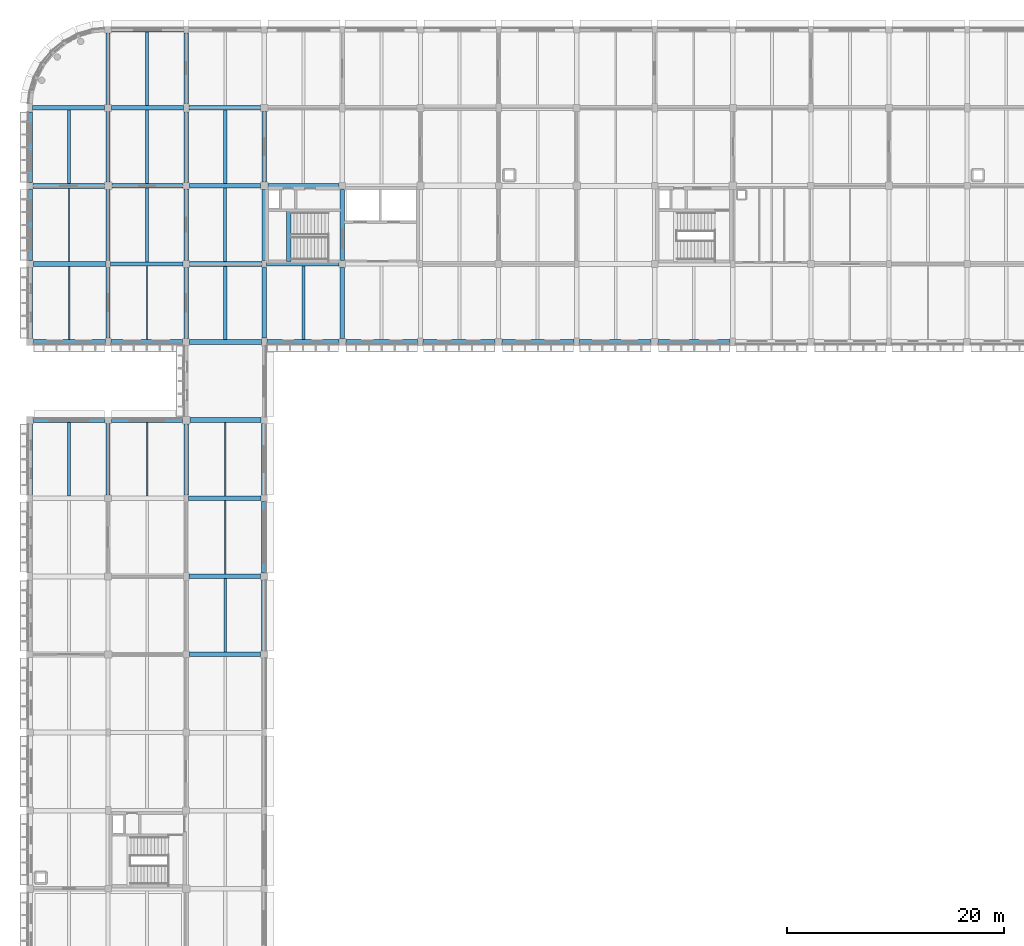
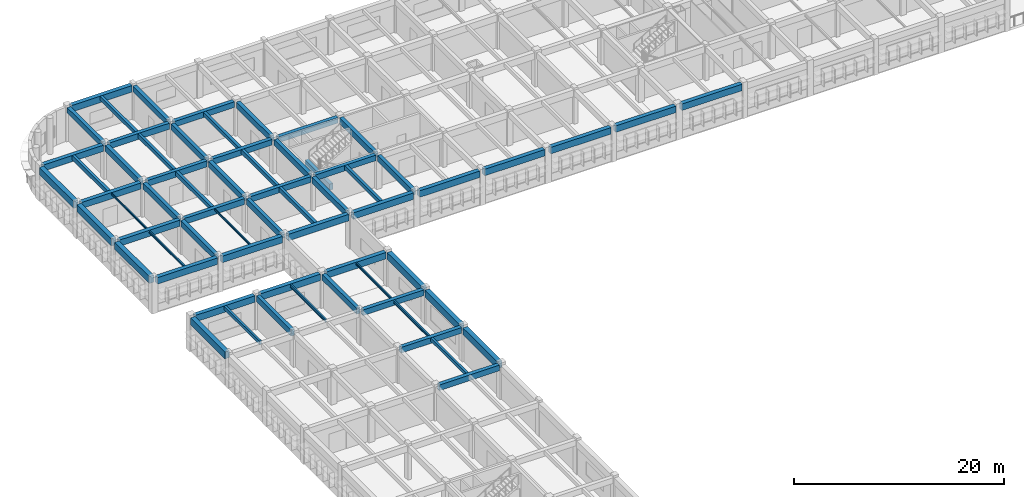
# One storey, part 5 of 38: 66 beams.
"""IFC4 building model written with IfcOpenShell, lengths in metres."""

from ifc_helpers import new_model, si_unit, direction, frame, origin, origin_2d, place, context, subcontext, project, spatial, rectangle, i_section, extrude, material, material_profile, profile_set, type_object, element, save


model = new_model("IFC4")

# Units and contexts
model_context = context("Model", 3, precision=1e-05, world=origin(), true_north=direction((0.0, 1.0)))
body_context = subcontext(model_context, "Body", "Model", "MODEL_VIEW")
ifc_project = project(units=[si_unit("LENGTHUNIT", "METRE"), si_unit("AREAUNIT", "SQUARE_METRE"), si_unit("VOLUMEUNIT", "CUBIC_METRE"), si_unit("PLANEANGLEUNIT", "RADIAN"), si_unit("MASSUNIT", "GRAM", prefix="KILO")], contexts=[model_context])

# Site, building, storey
site_placement = place(None, origin())
site = spatial("IfcSite", under=ifc_project, at=site_placement, CompositionType="ELEMENT")
building_placement = place(site_placement, origin())
building = spatial("IfcBuilding", under=site, at=building_placement, Name="Thalmaran Polytechnic", CompositionType="ELEMENT")
storey_placement = place(building_placement, frame((0.0, 0.0, 18.60009765625)))
storey = spatial("IfcBuildingStorey", under=building, at=storey_placement, Name="L04", CompositionType="ELEMENT", Elevation=18.60009765625)

# Beams
ifc_material_1 = material(Name="Concrete C40/50", Category="concrete")
ifc_material_profile_1 = material_profile(ifc_material_1, rectangle(XDim=0.39990234375, YDim=0.699951171875, at=origin_2d()), Name="RC 400x700")
ifc_profile_set_1 = profile_set([ifc_material_profile_1], Name="Concrete C40/50")
beam_type_1 = type_object("IfcBeamType", Name="BM-RC05", PredefinedType="BEAM", material=ifc_profile_set_1)
beam_1_placement = place(storey_placement, frame((7.409912109375, 100.800048828125, 3.60498046875), z_axis=(1.0, 0.0, 0.0), x_axis=(0.0, 1.0, 0.0)))
element("IfcBeam", 1, at=beam_1_placement, inside=storey, type_object=beam_type_1, Name="Grid Beam B05 L04 X(1,14)", PredefinedType="BEAM", context=body_context, shape_type="SweptSolid", body=[
    extrude(rectangle(XDim=0.39990234375, YDim=0.699951171875, at=origin_2d()), origin(), (0.0, 0.0, 1.0), 6.68017578125),
])
beam_2_placement = place(storey_placement, frame((7.5400390625, 108.0, 3.60498046875), z_axis=(1.0, 0.0, 0.0), x_axis=(0.0, 1.0, 0.0)))
element("IfcBeam", 2, at=beam_2_placement, inside=storey, type_object=beam_type_1, Name="Grid Beam B05 L04 X(1,15)", PredefinedType="BEAM", context=body_context, shape_type="SweptSolid", body=[
    extrude(rectangle(XDim=0.39990234375, YDim=0.699951171875, at=origin_2d()), origin(), (0.0, 0.0, 1.0), 6.56005859375),
])
beam_3_placement = place(storey_placement, frame((7.52490234375, 115.199951171875, 3.60498046875), z_axis=(1.0, 0.0, 0.0), x_axis=(0.0, 1.0, 0.0)))
element("IfcBeam", 3, at=beam_3_placement, inside=storey, type_object=beam_type_1, Name="Grid Beam B05 L04 X(1,16)", PredefinedType="BEAM", context=body_context, shape_type="SweptSolid", body=[
    extrude(rectangle(XDim=0.39990234375, YDim=0.699951171875, at=origin_2d()), origin(), (0.0, 0.0, 1.0), 6.625),
])
ifc_material_profile_2 = material_profile(ifc_material_1, rectangle(XDim=0.39990234375, YDim=0.64990234375, at=origin_2d()), Name="RC 400x650")
ifc_profile_set_2 = profile_set([ifc_material_profile_2], Name="Concrete C40/50")
beam_type_2 = type_object("IfcBeamType", Name="BM-RC06", PredefinedType="BEAM", material=ifc_profile_set_2)
beam_4_placement = place(storey_placement, frame((21.81005859375, 100.800048828125, 3.6298828125), z_axis=(1.0, 0.0, 0.0), x_axis=(0.0, 1.0, 0.0)))
element("IfcBeam", 4, at=beam_4_placement, inside=storey, type_object=beam_type_2, Name="Grid Beam B06 L04 X(3,14)", PredefinedType="BEAM", context=body_context, shape_type="SweptSolid", body=[
    extrude(rectangle(XDim=0.39990234375, YDim=0.64990234375, at=origin_2d()), origin(), (0.0, 0.0, 1.0), 6.679931640625),
])
beam_5_placement = place(storey_placement, frame((21.93994140625, 108.0, 3.6298828125), z_axis=(1.0, 0.0, 0.0), x_axis=(0.0, 1.0, 0.0)))
element("IfcBeam", 5, at=beam_5_placement, inside=storey, type_object=beam_type_2, Name="Grid Beam B06 L04 X(3,15)", PredefinedType="BEAM", context=body_context, shape_type="SweptSolid", body=[
    extrude(rectangle(XDim=0.39990234375, YDim=0.64990234375, at=origin_2d()), origin(), (0.0, 0.0, 1.0), 6.56005859375),
])
ifc_material_profile_3 = material_profile(ifc_material_1, rectangle(XDim=0.39990234375, YDim=0.6298828125, at=origin_2d()), Name="RC 400x630")
ifc_profile_set_3 = profile_set([ifc_material_profile_3], Name="Concrete C40/50")
beam_type_3 = type_object("IfcBeamType", Name="BM-RC07", PredefinedType="BEAM", material=ifc_profile_set_3)
beam_6_placement = place(storey_placement, frame((7.199951171875, 115.52490234375, 3.639892578125), z_axis=(0.0, 1.0, 0.0), x_axis=(-1.0, 0.0, 0.0)))
element("IfcBeam", 6, at=beam_6_placement, inside=storey, type_object=beam_type_3, Name="Grid Beam B07 L04 Y(1,16)", PredefinedType="BEAM", context=body_context, shape_type="SweptSolid", body=[
    extrude(rectangle(XDim=0.39990234375, YDim=0.6298828125, at=origin_2d()), origin(), (0.0, 0.0, 1.0), 6.565185546875),
])
beam_7_placement = place(storey_placement, frame((14.39990234375, 115.574951171875, 3.639892578125), z_axis=(0.0, 1.0, 0.0), x_axis=(-1.0, 0.0, 0.0)))
element("IfcBeam", 7, at=beam_7_placement, inside=storey, type_object=beam_type_3, Name="Grid Beam B07 L04 Y(2,16)", PredefinedType="BEAM", context=body_context, shape_type="SweptSolid", body=[
    extrude(rectangle(XDim=0.39990234375, YDim=0.6298828125, at=origin_2d()), origin(), (0.0, 0.0, 1.0), 6.505126953125),
])
ifc_material_profile_4 = material_profile(ifc_material_1, rectangle(XDim=0.389892578125, YDim=0.68505859375, at=origin_2d()), Name="RC 390x685")
ifc_profile_set_4 = profile_set([ifc_material_profile_4], Name="Concrete C40/50")
beam_type_4 = type_object("IfcBeamType", Name="BM-RC08", PredefinedType="BEAM", material=ifc_profile_set_4)
beam_8_placement = place(storey_placement, frame((7.199951171875, 79.510009765625, 3.59228515625), z_axis=(0.0, 1.0, 0.0), x_axis=(-1.0, 0.0, 0.0)))
element("IfcBeam", 8, at=beam_8_placement, inside=storey, type_object=beam_type_4, Name="Grid Beam B08 L04 Y(1,11)", PredefinedType="BEAM", context=body_context, shape_type="SweptSolid", body=[
    extrude(rectangle(XDim=0.389892578125, YDim=0.68505859375, at=origin_2d()), origin(), (0.0, 0.0, 1.0), 6.590087890625),
])
beam_9_placement = place(storey_placement, frame((14.39990234375, 79.52001953125, 3.59228515625), z_axis=(0.0, 1.0, 0.0), x_axis=(-1.0, 0.0, 0.0)))
element("IfcBeam", 9, at=beam_9_placement, inside=storey, type_object=beam_type_4, Name="Grid Beam B08 L04 Y(2,11)", PredefinedType="BEAM", context=body_context, shape_type="SweptSolid", body=[
    extrude(rectangle(XDim=0.389892578125, YDim=0.68505859375, at=origin_2d()), origin(), (0.0, 0.0, 1.0), 6.5400390625),
])
ifc_material_profile_5 = material_profile(ifc_material_1, rectangle(XDim=0.389892578125, YDim=0.68994140625, at=origin_2d()), Name="RC 390x690")
ifc_profile_set_5 = profile_set([ifc_material_profile_5], Name="Concrete C40/50")
beam_type_5 = type_object("IfcBeamType", Name="BM-RC09", PredefinedType="BEAM", material=ifc_profile_set_5)
beam_10_placement = place(storey_placement, frame((7.199951171875, 93.97509765625, 3.60986328125), z_axis=(0.0, 1.0, 0.0), x_axis=(-1.0, 0.0, 0.0)))
element("IfcBeam", 10, at=beam_10_placement, inside=storey, type_object=beam_type_5, Name="Grid Beam B09 L04 Y(1,13)", PredefinedType="BEAM", context=body_context, shape_type="SweptSolid", body=[
    extrude(rectangle(XDim=0.389892578125, YDim=0.68994140625, at=origin_2d()), origin(), (0.0, 0.0, 1.0), 6.5048828125),
])
beam_11_placement = place(storey_placement, frame((14.39990234375, 93.925048828125, 3.60986328125), z_axis=(0.0, 1.0, 0.0), x_axis=(-1.0, 0.0, 0.0)))
element("IfcBeam", 11, at=beam_11_placement, inside=storey, type_object=beam_type_5, Name="Grid Beam B09 L04 Y(2,13)", PredefinedType="BEAM", context=body_context, shape_type="SweptSolid", body=[
    extrude(rectangle(XDim=0.389892578125, YDim=0.68994140625, at=origin_2d()), origin(), (0.0, 0.0, 1.0), 6.56494140625),
])
beam_12_placement = place(storey_placement, frame((21.60009765625, 93.97509765625, 3.60986328125), z_axis=(0.0, 1.0, 0.0), x_axis=(-1.0, 0.0, 0.0)))
element("IfcBeam", 12, at=beam_12_placement, inside=storey, type_object=beam_type_5, Name="Grid Beam B09 L04 Y(3,13)", PredefinedType="BEAM", context=body_context, shape_type="SweptSolid", body=[
    extrude(rectangle(XDim=0.389892578125, YDim=0.68994140625, at=origin_2d()), origin(), (0.0, 0.0, 1.0), 6.5048828125),
])
beam_13_placement = place(storey_placement, frame((28.800048828125, 93.925048828125, 3.60986328125), z_axis=(0.0, 1.0, 0.0), x_axis=(-1.0, 0.0, 0.0)))
element("IfcBeam", 13, at=beam_13_placement, inside=storey, type_object=beam_type_5, Name="Grid Beam B09 L04 Y(4,13)", PredefinedType="BEAM", context=body_context, shape_type="SweptSolid", body=[
    extrude(rectangle(XDim=0.389892578125, YDim=0.68994140625, at=origin_2d()), origin(), (0.0, 0.0, 1.0), 6.56494140625),
])
ifc_material_profile_6 = material_profile(ifc_material_1, rectangle(XDim=0.389892578125, YDim=0.695068359375, at=origin_2d()), Name="RC 390x695")
ifc_profile_set_6 = profile_set([ifc_material_profile_6], Name="Concrete C40/50")
beam_type_6 = type_object("IfcBeamType", Name="BM-RC10", PredefinedType="BEAM", material=ifc_profile_set_6)
beam_14_placement = place(storey_placement, frame((7.199951171875, 108.340087890625, 3.607421875), z_axis=(0.0, 1.0, 0.0), x_axis=(-1.0, 0.0, 0.0)))
element("IfcBeam", 14, at=beam_14_placement, inside=storey, type_object=beam_type_6, Name="Grid Beam B10 L04 Y(1,15)", PredefinedType="BEAM", context=body_context, shape_type="SweptSolid", body=[
    extrude(rectangle(XDim=0.389892578125, YDim=0.695068359375, at=origin_2d()), origin(), (0.0, 0.0, 1.0), 6.534912109375),
])
beam_15_placement = place(storey_placement, frame((14.39990234375, 108.300048828125, 3.607421875), z_axis=(0.0, 1.0, 0.0), x_axis=(-1.0, 0.0, 0.0)))
element("IfcBeam", 15, at=beam_15_placement, inside=storey, type_object=beam_type_6, Name="Grid Beam B10 L04 Y(2,15)", PredefinedType="BEAM", context=body_context, shape_type="SweptSolid", body=[
    extrude(rectangle(XDim=0.389892578125, YDim=0.695068359375, at=origin_2d()), origin(), (0.0, 0.0, 1.0), 6.52490234375),
])
beam_16_placement = place(storey_placement, frame((21.60009765625, 108.340087890625, 3.607421875), z_axis=(0.0, 1.0, 0.0), x_axis=(-1.0, 0.0, 0.0)))
element("IfcBeam", 16, at=beam_16_placement, inside=storey, type_object=beam_type_6, Name="Grid Beam B10 L04 Y(3,15)", PredefinedType="BEAM", context=body_context, shape_type="SweptSolid", body=[
    extrude(rectangle(XDim=0.389892578125, YDim=0.695068359375, at=origin_2d()), origin(), (0.0, 0.0, 1.0), 6.534912109375),
])
beam_17_placement = place(storey_placement, frame((23.860107421875, 101.0400390625, 1.639892578125), z_axis=(0.0, 1.0, 0.0), x_axis=(-1.0, 0.0, 0.0)))
element("IfcBeam", 17, at=beam_17_placement, inside=storey, type_object=beam_type_6, Name="ST2 L04 Half-Landing Trimmer Beam", PredefinedType="BEAM", context=body_context, shape_type="SweptSolid", body=[
    extrude(rectangle(XDim=0.389892578125, YDim=0.695068359375, at=origin_2d()), origin(), (0.0, 0.0, 1.0), 4.699951171875),
])
ifc_material_profile_7 = material_profile(ifc_material_1, rectangle(XDim=0.300048828125, YDim=0.5, at=origin_2d()), Name="RC 300x500")
ifc_profile_set_7 = profile_set([ifc_material_profile_7], Name="Concrete C40/50")
beam_type_7 = type_object("IfcBeamType", Name="BM-RC11", PredefinedType="JOIST", material=ifc_profile_set_7)
beam_18_placement = place(storey_placement, frame((3.60009765625, 108.219970703125, 3.704833984375), z_axis=(0.0, 1.0, 0.0), x_axis=(-1.0, 0.0, 0.0)))
element("IfcBeam", 18, at=beam_18_placement, inside=storey, type_object=beam_type_7, Name="Secondary Floor Rib RB01 L04 (0,15)", PredefinedType="JOIST", context=body_context, shape_type="SweptSolid", body=[
    extrude(rectangle(XDim=0.300048828125, YDim=0.5, at=origin_2d()), origin(), (0.0, 0.0, 1.0), 6.760009765625),
])
beam_19_placement = place(storey_placement, frame((10.800048828125, 101.0, 3.704833984375), z_axis=(0.0, 1.0, 0.0), x_axis=(-1.0, 0.0, 0.0)))
element("IfcBeam", 19, at=beam_19_placement, inside=storey, type_object=beam_type_7, Name="Secondary Floor Rib RB01 L04 (1,14)", PredefinedType="JOIST", context=body_context, shape_type="SweptSolid", body=[
    extrude(rectangle(XDim=0.300048828125, YDim=0.5, at=origin_2d()), origin(), (0.0, 0.0, 1.0), 6.800048828125),
])
beam_20_placement = place(storey_placement, frame((18.0, 93.824951171875, 3.704833984375), z_axis=(0.0, 1.0, 0.0), x_axis=(-1.0, 0.0, 0.0)))
element("IfcBeam", 20, at=beam_20_placement, inside=storey, type_object=beam_type_7, Name="Secondary Floor Rib RB01 L04 (2,13)", PredefinedType="JOIST", context=body_context, shape_type="SweptSolid", body=[
    extrude(rectangle(XDim=0.300048828125, YDim=0.5, at=origin_2d()), origin(), (0.0, 0.0, 1.0), 6.76513671875),
])
ifc_material_profile_8 = material_profile(ifc_material_1, rectangle(XDim=0.300048828125, YDim=0.449951171875, at=origin_2d()), Name="RC 300x450")
ifc_profile_set_8 = profile_set([ifc_material_profile_8], Name="Concrete C40/50")
beam_type_8 = type_object("IfcBeamType", Name="BM-RC12", PredefinedType="JOIST", material=ifc_profile_set_8)
beam_21_placement = place(storey_placement, frame((10.800048828125, 115.39990234375, 3.72998046875), z_axis=(0.0, 1.0, 0.0), x_axis=(-1.0, 0.0, 0.0)))
element("IfcBeam", 21, at=beam_21_placement, inside=storey, type_object=beam_type_8, Name="Secondary Floor Rib RB02 L04 (1,16)", PredefinedType="JOIST", context=body_context, shape_type="SweptSolid", body=[
    extrude(rectangle(XDim=0.300048828125, YDim=0.449951171875, at=origin_2d()), origin(), (0.0, 0.0, 1.0), 6.775146484375),
])
beam_22_placement = place(storey_placement, frame((18.0, 108.2099609375, 3.72998046875), z_axis=(0.0, 1.0, 0.0), x_axis=(-1.0, 0.0, 0.0)))
element("IfcBeam", 22, at=beam_22_placement, inside=storey, type_object=beam_type_8, Name="Secondary Floor Rib RB02 L04 (2,15)", PredefinedType="JOIST", context=body_context, shape_type="SweptSolid", body=[
    extrude(rectangle(XDim=0.300048828125, YDim=0.449951171875, at=origin_2d()), origin(), (0.0, 0.0, 1.0), 6.780029296875),
])
ifc_material_2 = material(Name="Steel S355", Category="steel")
ifc_material_profile_9 = material_profile(ifc_material_2, i_section(OverallWidth=0.159912109375, OverallDepth=0.330078125, WebThickness=0.007568359375, FlangeThickness=0.011474609375, at=origin_2d()), Name="IPE 330")
ifc_profile_set_9 = profile_set([ifc_material_profile_9], Name="Steel S355")
beam_type_9 = type_object("IfcBeamType", Name="BM-SJ02", PredefinedType="JOIST", material=ifc_profile_set_9)
beam_23_placement = place(storey_placement, frame((10.800048828125, 79.39990234375, 3.77001953125), z_axis=(0.0, 1.0, 0.0), x_axis=(-1.0, 0.0, 0.0)))
element("IfcBeam", 23, at=beam_23_placement, inside=storey, type_object=beam_type_9, Name="Secondary Floor Rib SJ02 L04 (1,11)", PredefinedType="JOIST", context=body_context, shape_type="SweptSolid", body=[
    extrude(i_section(OverallWidth=0.159912109375, OverallDepth=0.330078125, WebThickness=0.007568359375, FlangeThickness=0.011474609375, at=origin_2d()), origin(), (0.0, 0.0, 1.0), 6.775146484375),
])
beam_24_placement = place(storey_placement, frame((18.0, 72.2099609375, 3.77001953125), z_axis=(0.0, 1.0, 0.0), x_axis=(-1.0, 0.0, 0.0)))
element("IfcBeam", 24, at=beam_24_placement, inside=storey, type_object=beam_type_9, Name="Secondary Floor Rib SJ02 L04 (2,10)", PredefinedType="JOIST", context=body_context, shape_type="SweptSolid", body=[
    extrude(i_section(OverallWidth=0.159912109375, OverallDepth=0.330078125, WebThickness=0.007568359375, FlangeThickness=0.011474609375, at=origin_2d()), origin(), (0.0, 0.0, 1.0), 6.780029296875),
])
ifc_material_profile_10 = material_profile(ifc_material_2, i_section(OverallWidth=0.135009765625, OverallDepth=0.27001953125, WebThickness=0.006591796875, FlangeThickness=0.01025390625, at=origin_2d()), Name="IPE 270")
ifc_profile_set_10 = profile_set([ifc_material_profile_10], Name="Steel S355")
beam_type_10 = type_object("IfcBeamType", Name="BM-SJ03", PredefinedType="JOIST", material=ifc_profile_set_10)
beam_25_placement = place(storey_placement, frame((3.60009765625, 93.824951171875, 3.81982421875), z_axis=(0.0, 1.0, 0.0), x_axis=(-1.0, 0.0, 0.0)))
element("IfcBeam", 25, at=beam_25_placement, inside=storey, type_object=beam_type_10, Name="Secondary Floor Rib SJ03 L04 (0,13)", PredefinedType="JOIST", context=body_context, shape_type="SweptSolid", body=[
    extrude(i_section(OverallWidth=0.135009765625, OverallDepth=0.27001953125, WebThickness=0.006591796875, FlangeThickness=0.01025390625, at=origin_2d()), origin(), (0.0, 0.0, 1.0), 6.755126953125),
])
beam_26_placement = place(storey_placement, frame((18.0, 79.409912109375, 3.7998046875), z_axis=(0.0, 1.0, 0.0), x_axis=(-1.0, 0.0, 0.0)))
element("IfcBeam", 26, at=beam_26_placement, inside=storey, type_object=beam_type_10, Name="Secondary Floor Rib SJ03 L04 (2,11)", PredefinedType="JOIST", context=body_context, shape_type="SweptSolid", body=[
    extrude(i_section(OverallWidth=0.135009765625, OverallDepth=0.27001953125, WebThickness=0.006591796875, FlangeThickness=0.01025390625, at=origin_2d()), origin(), (0.0, 0.0, 1.0), 6.76513671875),
])
ifc_material_profile_11 = material_profile(ifc_material_2, i_section(OverallWidth=0.110107421875, OverallDepth=0.219970703125, WebThickness=0.005859375, FlangeThickness=0.00927734375, at=origin_2d()), Name="IPE 220")
ifc_profile_set_11 = profile_set([ifc_material_profile_11], Name="Steel S355")
beam_type_11 = type_object("IfcBeamType", Name="BM-SJ04", PredefinedType="JOIST", material=ifc_profile_set_11)
beam_27_placement = place(storey_placement, frame((3.60009765625, 101.02001953125, 3.844970703125), z_axis=(0.0, 1.0, 0.0), x_axis=(-1.0, 0.0, 0.0)))
element("IfcBeam", 27, at=beam_27_placement, inside=storey, type_object=beam_type_11, Name="Secondary Floor Rib SJ04 L04 (0,14)", PredefinedType="JOIST", context=body_context, shape_type="SweptSolid", body=[
    extrude(i_section(OverallWidth=0.110107421875, OverallDepth=0.219970703125, WebThickness=0.005859375, FlangeThickness=0.00927734375, at=origin_2d()), origin(), (0.0, 0.0, 1.0), 6.760009765625),
])
beam_28_placement = place(storey_placement, frame((10.800048828125, 93.824951171875, 3.844970703125), z_axis=(0.0, 1.0, 0.0), x_axis=(-1.0, 0.0, 0.0)))
element("IfcBeam", 28, at=beam_28_placement, inside=storey, type_object=beam_type_11, Name="Secondary Floor Rib SJ04 L04 (1,13)", PredefinedType="JOIST", context=body_context, shape_type="SweptSolid", body=[
    extrude(i_section(OverallWidth=0.110107421875, OverallDepth=0.219970703125, WebThickness=0.005859375, FlangeThickness=0.00927734375, at=origin_2d()), origin(), (0.0, 0.0, 1.0), 6.775146484375),
])
ifc_material_profile_12 = material_profile(ifc_material_1, rectangle(XDim=0.449951171875, YDim=0.7548828125, at=origin_2d()), Name="RC 450x755")
ifc_profile_set_12 = profile_set([ifc_material_profile_12], Name="Concrete C40/50")
beam_type_12 = type_object("IfcBeamType", Name="BM-SP02", PredefinedType="SPANDREL", material=ifc_profile_set_12)
beam_29_placement = place(storey_placement, frame((0.340087890625, 86.39990234375, 3.557373046875), z_axis=(1.0, 0.0, 0.0), x_axis=(0.0, 1.0, 0.0)))
element("IfcBeam", 29, at=beam_29_placement, inside=storey, type_object=beam_type_12, Name="Grid Beam SP02 L04 X(0,12)", PredefinedType="SPANDREL", context=body_context, shape_type="SweptSolid", body=[
    extrude(rectangle(XDim=0.449951171875, YDim=0.7548828125, at=origin_2d()), origin(), (0.0, 0.0, 1.0), 6.559814453125),
])
beam_30_placement = place(storey_placement, frame((0.324951171875, 93.60009765625, 3.577392578125), z_axis=(1.0, 0.0, 0.0), x_axis=(0.0, 1.0, 0.0)))
element("IfcBeam", 30, at=beam_30_placement, inside=storey, type_object=beam_type_12, Name="Grid Beam SP02 L04 X(0,13)", PredefinedType="SPANDREL", context=body_context, shape_type="SweptSolid", body=[
    extrude(rectangle(XDim=0.449951171875, YDim=0.7548828125, at=origin_2d()), origin(), (0.0, 0.0, 1.0), 6.625),
])
beam_31_placement = place(storey_placement, frame((7.5, 86.39990234375, 3.557373046875), z_axis=(1.0, 0.0, 0.0), x_axis=(0.0, 1.0, 0.0)))
element("IfcBeam", 31, at=beam_31_placement, inside=storey, type_object=beam_type_12, Name="Grid Beam SP02 L04 X(1,12)", PredefinedType="SPANDREL", context=body_context, shape_type="SweptSolid", body=[
    extrude(rectangle(XDim=0.449951171875, YDim=0.7548828125, at=origin_2d()), origin(), (0.0, 0.0, 1.0), 6.56005859375),
])
beam_32_placement = place(storey_placement, frame((7.449951171875, 93.60009765625, 3.577392578125), z_axis=(1.0, 0.0, 0.0), x_axis=(0.0, 1.0, 0.0)))
element("IfcBeam", 32, at=beam_32_placement, inside=storey, type_object=beam_type_12, Name="Grid Beam SP02 L04 X(1,13)", PredefinedType="SPANDREL", context=body_context, shape_type="SweptSolid", body=[
    extrude(rectangle(XDim=0.449951171875, YDim=0.7548828125, at=origin_2d()), origin(), (0.0, 0.0, 1.0), 6.625),
])
beam_33_placement = place(storey_placement, frame((7.510009765625, 122.39990234375, 3.577392578125), z_axis=(1.0, 0.0, 0.0), x_axis=(0.0, 1.0, 0.0)))
element("IfcBeam", 33, at=beam_33_placement, inside=storey, type_object=beam_type_12, Name="Grid Beam SP02 L04 X(1,17)", PredefinedType="SPANDREL", context=body_context, shape_type="SweptSolid", body=[
    extrude(rectangle(XDim=0.449951171875, YDim=0.7548828125, at=origin_2d()), origin(), (0.0, 0.0, 1.0), 6.679931640625),
])
beam_34_placement = place(storey_placement, frame((14.739990234375, 86.39990234375, 3.557373046875), z_axis=(1.0, 0.0, 0.0), x_axis=(0.0, 1.0, 0.0)))
element("IfcBeam", 34, at=beam_34_placement, inside=storey, type_object=beam_type_12, Name="Grid Beam SP02 L04 X(2,12)", PredefinedType="SPANDREL", context=body_context, shape_type="SweptSolid", body=[
    extrude(rectangle(XDim=0.449951171875, YDim=0.7548828125, at=origin_2d()), origin(), (0.0, 0.0, 1.0), 6.56005859375),
])
for number, where, z_axis, x_axis, name in (
    (35, (14.72509765625, 93.60009765625, 3.577392578125), (1.0, 0.0, 0.0), (0.0, 1.0, 0.0), "Grid Beam SP02 L04 X(2,13)"),
    (36, (21.85009765625, 93.60009765625, 3.577392578125), (1.0, 0.0, 0.0), (0.0, 1.0, 0.0), "Grid Beam SP02 L04 X(3,13)"),
    (37, (29.125, 93.60009765625, 3.577392578125), (1.0, 0.0, 0.0), (0.0, 1.0, 0.0), "Grid Beam SP02 L04 X(4,13)"),
    (38, (36.25, 93.60009765625, 3.577392578125), (1.0, 0.0, 0.0), (0.0, 1.0, 0.0), "Grid Beam SP02 L04 X(5,13)"),
    (39, (43.52490234375, 93.60009765625, 3.577392578125), (1.0, 0.0, 0.0), (0.0, 1.0, 0.0), "Grid Beam SP02 L04 X(6,13)"),
    (40, (50.64990234375, 93.60009765625, 3.577392578125), (1.0, 0.0, 0.0), (0.0, 1.0, 0.0), "Grid Beam SP02 L04 X(7,13)"),
    (41, (57.925048828125, 93.60009765625, 3.577392578125), (1.0, 0.0, 0.0), (0.0, 1.0, 0.0), "Grid Beam SP02 L04 X(8,13)"),
):
    element("IfcBeam", number, at=place(storey_placement, frame(where, z_axis=z_axis, x_axis=x_axis)), inside=storey, type_object=beam_type_12, Name=name, PredefinedType="SPANDREL", context=body_context, shape_type="SweptSolid", body=[
        extrude(rectangle(XDim=0.449951171875, YDim=0.7548828125, at=origin_2d()), origin(), (0.0, 0.0, 1.0), 6.625),
    ])
ifc_material_profile_13 = material_profile(ifc_material_1, rectangle(XDim=0.5, YDim=0.804931640625, at=origin_2d()), Name="RC 500x805")
ifc_profile_set_13 = profile_set([ifc_material_profile_13], Name="Concrete C40/50")
beam_type_13 = type_object("IfcBeamType", Name="BM-SP03", PredefinedType="SPANDREL", material=ifc_profile_set_13)
beam_35_placement = place(storey_placement, frame((0.0, 79.52001953125, 3.532470703125), z_axis=(0.0, 1.0, 0.0), x_axis=(-1.0, 0.0, 0.0)))
element("IfcBeam", 42, at=beam_35_placement, inside=storey, type_object=beam_type_13, Name="Grid Beam SP03 L04 Y(0,11)", PredefinedType="SPANDREL", context=body_context, shape_type="SweptSolid", body=[
    extrude(rectangle(XDim=0.5, YDim=0.804931640625, at=origin_2d()), origin(), (0.0, 0.0, 1.0), 6.5400390625),
])
beam_36_placement = place(storey_placement, frame((0.0, 93.925048828125, 3.552490234375), z_axis=(0.0, 1.0, 0.0), x_axis=(-1.0, 0.0, 0.0)))
element("IfcBeam", 43, at=beam_36_placement, inside=storey, type_object=beam_type_13, Name="Grid Beam SP03 L04 Y(0,13)", PredefinedType="SPANDREL", context=body_context, shape_type="SweptSolid", body=[
    extrude(rectangle(XDim=0.5, YDim=0.804931640625, at=origin_2d()), origin(), (0.0, 0.0, 1.0), 6.56494140625),
])
beam_37_placement = place(storey_placement, frame((0.0, 101.110107421875, 3.552490234375), z_axis=(0.0, 1.0, 0.0), x_axis=(-1.0, 0.0, 0.0)))
element("IfcBeam", 44, at=beam_37_placement, inside=storey, type_object=beam_type_13, Name="Grid Beam SP03 L04 Y(0,14)", PredefinedType="SPANDREL", context=body_context, shape_type="SweptSolid", body=[
    extrude(rectangle(XDim=0.5, YDim=0.804931640625, at=origin_2d()), origin(), (0.0, 0.0, 1.0), 6.58984375),
])
beam_38_placement = place(storey_placement, frame((0.0, 108.300048828125, 3.552490234375), z_axis=(0.0, 1.0, 0.0), x_axis=(-1.0, 0.0, 0.0)))
element("IfcBeam", 45, at=beam_38_placement, inside=storey, type_object=beam_type_13, Name="Grid Beam SP03 L04 Y(0,15)", PredefinedType="SPANDREL", context=body_context, shape_type="SweptSolid", body=[
    extrude(rectangle(XDim=0.5, YDim=0.804931640625, at=origin_2d()), origin(), (0.0, 0.0, 1.0), 6.52490234375),
])
beam_39_placement = place(storey_placement, frame((21.60009765625, 65.139892578125, 3.532470703125), z_axis=(0.0, 1.0, 0.0), x_axis=(-1.0, 0.0, 0.0)))
element("IfcBeam", 46, at=beam_39_placement, inside=storey, type_object=beam_type_13, Name="Grid Beam SP03 L04 Y(3,9)", PredefinedType="SPANDREL", context=body_context, shape_type="SweptSolid", body=[
    extrude(rectangle(XDim=0.5, YDim=0.804931640625, at=origin_2d()), origin(), (0.0, 0.0, 1.0), 6.53515625),
])
beam_40_placement = place(storey_placement, frame((21.60009765625, 72.324951171875, 3.532470703125), z_axis=(0.0, 1.0, 0.0), x_axis=(-1.0, 0.0, 0.0)))
element("IfcBeam", 47, at=beam_40_placement, inside=storey, type_object=beam_type_13, Name="Grid Beam SP03 L04 Y(3,10)", PredefinedType="SPANDREL", context=body_context, shape_type="SweptSolid", body=[
    extrude(rectangle(XDim=0.5, YDim=0.804931640625, at=origin_2d()), origin(), (0.0, 0.0, 1.0), 6.56494140625),
])
beam_41_placement = place(storey_placement, frame((21.60009765625, 79.510009765625, 3.532470703125), z_axis=(0.0, 1.0, 0.0), x_axis=(-1.0, 0.0, 0.0)))
element("IfcBeam", 48, at=beam_41_placement, inside=storey, type_object=beam_type_13, Name="Grid Beam SP03 L04 Y(3,11)", PredefinedType="SPANDREL", context=body_context, shape_type="SweptSolid", body=[
    extrude(rectangle(XDim=0.5, YDim=0.804931640625, at=origin_2d()), origin(), (0.0, 0.0, 1.0), 6.590087890625),
])
ifc_material_profile_14 = material_profile(ifc_material_1, rectangle(XDim=0.43994140625, YDim=0.719970703125, at=origin_2d()), Name="RC 440x720")
ifc_profile_set_14 = profile_set([ifc_material_profile_14], Name="Concrete C40/50")
beam_type_14 = type_object("IfcBeamType", Name="BM-ZB03", PredefinedType="BEAM", material=ifc_profile_set_14)
beam_42_placement = place(storey_placement, frame((0.31005859375, 100.800048828125, 3.594970703125), z_axis=(1.0, 0.0, 0.0), x_axis=(0.0, 1.0, 0.0)))
element("IfcBeam", 49, at=beam_42_placement, inside=storey, type_object=beam_type_14, Name="Grid Beam ZB03 L04 X(0,14)", PredefinedType="BEAM", context=body_context, shape_type="SweptSolid", body=[
    extrude(rectangle(XDim=0.43994140625, YDim=0.719970703125, at=origin_2d()), origin(), (0.0, 0.0, 1.0), 6.679931640625),
])
beam_43_placement = place(storey_placement, frame((0.300048828125, 108.0, 3.594970703125), z_axis=(1.0, 0.0, 0.0), x_axis=(0.0, 1.0, 0.0)))
element("IfcBeam", 50, at=beam_43_placement, inside=storey, type_object=beam_type_14, Name="Grid Beam ZB03 L04 X(0,15)", PredefinedType="BEAM", context=body_context, shape_type="SweptSolid", body=[
    extrude(rectangle(XDim=0.43994140625, YDim=0.719970703125, at=origin_2d()), origin(), (0.0, 0.0, 1.0), 6.56005859375),
])
beam_44_placement = place(storey_placement, frame((0.25, 115.199951171875, 3.594970703125), z_axis=(1.0, 0.0, 0.0), x_axis=(0.0, 1.0, 0.0)))
element("IfcBeam", 51, at=beam_44_placement, inside=storey, type_object=beam_type_14, Name="Grid Beam ZB03 L04 X(0,16)", PredefinedType="BEAM", context=body_context, shape_type="SweptSolid", body=[
    extrude(rectangle(XDim=0.43994140625, YDim=0.719970703125, at=origin_2d()), origin(), (0.0, 0.0, 1.0), 6.625),
])
ifc_material_profile_15 = material_profile(ifc_material_1, rectangle(XDim=0.419921875, YDim=0.659912109375, at=origin_2d()), Name="RC 420x660")
ifc_profile_set_15 = profile_set([ifc_material_profile_15], Name="Concrete C40/50")
beam_type_15 = type_object("IfcBeamType", Name="BM-ZB04", PredefinedType="BEAM", material=ifc_profile_set_15)
beam_45_placement = place(storey_placement, frame((14.699951171875, 64.800048828125, 3.60498046875), z_axis=(1.0, 0.0, 0.0), x_axis=(0.0, 1.0, 0.0)))
element("IfcBeam", 52, at=beam_45_placement, inside=storey, type_object=beam_type_15, Name="Grid Beam ZB04 L04 X(2,9)", PredefinedType="BEAM", context=body_context, shape_type="SweptSolid", body=[
    extrude(rectangle(XDim=0.419921875, YDim=0.659912109375, at=origin_2d()), origin(), (0.0, 0.0, 1.0), 6.56005859375),
])
beam_46_placement = place(storey_placement, frame((14.64990234375, 72.0, 3.60498046875), z_axis=(1.0, 0.0, 0.0), x_axis=(0.0, 1.0, 0.0)))
element("IfcBeam", 53, at=beam_46_placement, inside=storey, type_object=beam_type_15, Name="Grid Beam ZB04 L04 X(2,10)", PredefinedType="BEAM", context=body_context, shape_type="SweptSolid", body=[
    extrude(rectangle(XDim=0.419921875, YDim=0.659912109375, at=origin_2d()), origin(), (0.0, 0.0, 1.0), 6.625),
])
for number, where, z_axis, x_axis, name in (
    (54, (14.610107421875, 79.199951171875, 3.60498046875), (1.0, 0.0, 0.0), (0.0, 1.0, 0.0), "Grid Beam ZB04 L04 X(2,11)"),
    (55, (14.7099609375, 100.800048828125, 3.625), (1.0, 0.0, 0.0), (0.0, 1.0, 0.0), "Grid Beam ZB04 L04 X(2,14)"),
):
    element("IfcBeam", number, at=place(storey_placement, frame(where, z_axis=z_axis, x_axis=x_axis)), inside=storey, type_object=beam_type_15, Name=name, PredefinedType="BEAM", context=body_context, shape_type="SweptSolid", body=[
        extrude(rectangle(XDim=0.419921875, YDim=0.659912109375, at=origin_2d()), origin(), (0.0, 0.0, 1.0), 6.679931640625),
    ])
beam_47_placement = place(storey_placement, frame((14.699951171875, 108.0, 3.625), z_axis=(1.0, 0.0, 0.0), x_axis=(0.0, 1.0, 0.0)))
element("IfcBeam", 56, at=beam_47_placement, inside=storey, type_object=beam_type_15, Name="Grid Beam ZB04 L04 X(2,15)", PredefinedType="BEAM", context=body_context, shape_type="SweptSolid", body=[
    extrude(rectangle(XDim=0.419921875, YDim=0.659912109375, at=origin_2d()), origin(), (0.0, 0.0, 1.0), 6.56005859375),
])
beam_48_placement = place(storey_placement, frame((14.64990234375, 115.199951171875, 3.625), z_axis=(1.0, 0.0, 0.0), x_axis=(0.0, 1.0, 0.0)))
element("IfcBeam", 57, at=beam_48_placement, inside=storey, type_object=beam_type_15, Name="Grid Beam ZB04 L04 X(2,16)", PredefinedType="BEAM", context=body_context, shape_type="SweptSolid", body=[
    extrude(rectangle(XDim=0.419921875, YDim=0.659912109375, at=origin_2d()), origin(), (0.0, 0.0, 1.0), 6.625),
])
ifc_material_profile_16 = material_profile(ifc_material_1, rectangle(XDim=0.39990234375, YDim=0.695068359375, at=origin_2d()), Name="RC 400x695")
ifc_profile_set_16 = profile_set([ifc_material_profile_16], Name="Concrete C40/50")
beam_type_16 = type_object("IfcBeamType", Name="BM-ZB08", PredefinedType="BEAM", material=ifc_profile_set_16)
beam_49_placement = place(storey_placement, frame((7.199951171875, 101.1201171875, 3.607421875), z_axis=(0.0, 1.0, 0.0), x_axis=(-1.0, 0.0, 0.0)))
element("IfcBeam", 58, at=beam_49_placement, inside=storey, type_object=beam_type_16, Name="Grid Beam ZB08 L04 Y(1,14)", PredefinedType="BEAM", context=body_context, shape_type="SweptSolid", body=[
    extrude(rectangle(XDim=0.39990234375, YDim=0.695068359375, at=origin_2d()), origin(), (0.0, 0.0, 1.0), 6.539794921875),
])
beam_50_placement = place(storey_placement, frame((14.39990234375, 101.110107421875, 3.607421875), z_axis=(0.0, 1.0, 0.0), x_axis=(-1.0, 0.0, 0.0)))
element("IfcBeam", 59, at=beam_50_placement, inside=storey, type_object=beam_type_16, Name="Grid Beam ZB08 L04 Y(2,14)", PredefinedType="BEAM", context=body_context, shape_type="SweptSolid", body=[
    extrude(rectangle(XDim=0.39990234375, YDim=0.695068359375, at=origin_2d()), origin(), (0.0, 0.0, 1.0), 6.58984375),
])
beam_51_placement = place(storey_placement, frame((21.60009765625, 101.1201171875, 3.607421875), z_axis=(0.0, 1.0, 0.0), x_axis=(-1.0, 0.0, 0.0)))
element("IfcBeam", 60, at=beam_51_placement, inside=storey, type_object=beam_type_16, Name="Grid Beam ZB08 L04 Y(3,14)", PredefinedType="BEAM", context=body_context, shape_type="SweptSolid", body=[
    extrude(rectangle(XDim=0.39990234375, YDim=0.695068359375, at=origin_2d()), origin(), (0.0, 0.0, 1.0), 6.539794921875),
])
beam_52_placement = place(storey_placement, frame((28.800048828125, 101.110107421875, 3.607421875), z_axis=(0.0, 1.0, 0.0), x_axis=(-1.0, 0.0, 0.0)))
element("IfcBeam", 61, at=beam_52_placement, inside=storey, type_object=beam_type_16, Name="Grid Beam ZB08 L04 Y(4,14)", PredefinedType="BEAM", context=body_context, shape_type="SweptSolid", body=[
    extrude(rectangle(XDim=0.39990234375, YDim=0.695068359375, at=origin_2d()), origin(), (0.0, 0.0, 1.0), 6.58984375),
])
ifc_material_profile_17 = material_profile(ifc_material_1, rectangle(XDim=0.280029296875, YDim=0.47998046875, at=origin_2d()), Name="RC 280x480")
ifc_profile_set_17 = profile_set([ifc_material_profile_17], Name="Concrete C40/50")
beam_type_17 = type_object("IfcBeamType", Name="BM-ZJ01", PredefinedType="JOIST", material=ifc_profile_set_17)
beam_53_placement = place(storey_placement, frame((10.800048828125, 108.199951171875, 3.71484375), z_axis=(0.0, 1.0, 0.0), x_axis=(-1.0, 0.0, 0.0)))
element("IfcBeam", 62, at=beam_53_placement, inside=storey, type_object=beam_type_17, Name="Secondary Floor Rib ZJ01 L04 (1,15)", PredefinedType="JOIST", context=body_context, shape_type="SweptSolid", body=[
    extrude(rectangle(XDim=0.280029296875, YDim=0.47998046875, at=origin_2d()), origin(), (0.0, 0.0, 1.0), 6.800048828125),
])
beam_54_placement = place(storey_placement, frame((18.0, 101.010009765625, 3.71484375), z_axis=(0.0, 1.0, 0.0), x_axis=(-1.0, 0.0, 0.0)))
element("IfcBeam", 63, at=beam_54_placement, inside=storey, type_object=beam_type_17, Name="Secondary Floor Rib ZJ01 L04 (2,14)", PredefinedType="JOIST", context=body_context, shape_type="SweptSolid", body=[
    extrude(rectangle(XDim=0.280029296875, YDim=0.47998046875, at=origin_2d()), origin(), (0.0, 0.0, 1.0), 6.780029296875),
])
beam_55_placement = place(storey_placement, frame((25.199951171875, 93.824951171875, 3.71484375), z_axis=(0.0, 1.0, 0.0), x_axis=(-1.0, 0.0, 0.0)))
element("IfcBeam", 64, at=beam_55_placement, inside=storey, type_object=beam_type_17, Name="Secondary Floor Rib ZJ01 L04 (3,13)", PredefinedType="JOIST", context=body_context, shape_type="SweptSolid", body=[
    extrude(rectangle(XDim=0.280029296875, YDim=0.47998046875, at=origin_2d()), origin(), (0.0, 0.0, 1.0), 6.775146484375),
])
ifc_material_profile_18 = material_profile(ifc_material_1, rectangle(XDim=0.239990234375, YDim=0.39990234375, at=origin_2d()), Name="RC 240x400")
ifc_profile_set_18 = profile_set([ifc_material_profile_18], Name="Concrete C40/50")
beam_type_18 = type_object("IfcBeamType", Name="BM-ZJ04", PredefinedType="JOIST", material=ifc_profile_set_18)
beam_56_placement = place(storey_placement, frame((3.60009765625, 79.419921875, 3.73486328125), z_axis=(0.0, 1.0, 0.0), x_axis=(-1.0, 0.0, 0.0)))
element("IfcBeam", 65, at=beam_56_placement, inside=storey, type_object=beam_type_18, Name="Secondary Floor Rib ZJ04 L04 (0,11)", PredefinedType="JOIST", context=body_context, shape_type="SweptSolid", body=[
    extrude(rectangle(XDim=0.239990234375, YDim=0.39990234375, at=origin_2d()), origin(), (0.0, 0.0, 1.0), 6.755126953125),
])
beam_57_placement = place(storey_placement, frame((18.0, 65.010009765625, 3.73486328125), z_axis=(0.0, 1.0, 0.0), x_axis=(-1.0, 0.0, 0.0)))
element("IfcBeam", 66, at=beam_57_placement, inside=storey, type_object=beam_type_18, Name="Secondary Floor Rib ZJ04 L04 (2,9)", PredefinedType="JOIST", context=body_context, shape_type="SweptSolid", body=[
    extrude(rectangle(XDim=0.239990234375, YDim=0.39990234375, at=origin_2d()), origin(), (0.0, 0.0, 1.0), 6.780029296875),
])

save(model, "model.ifc")
